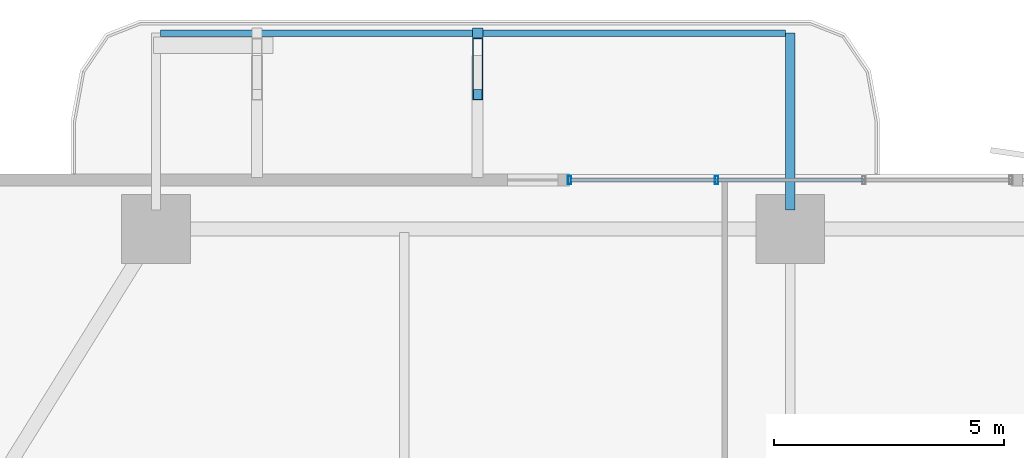
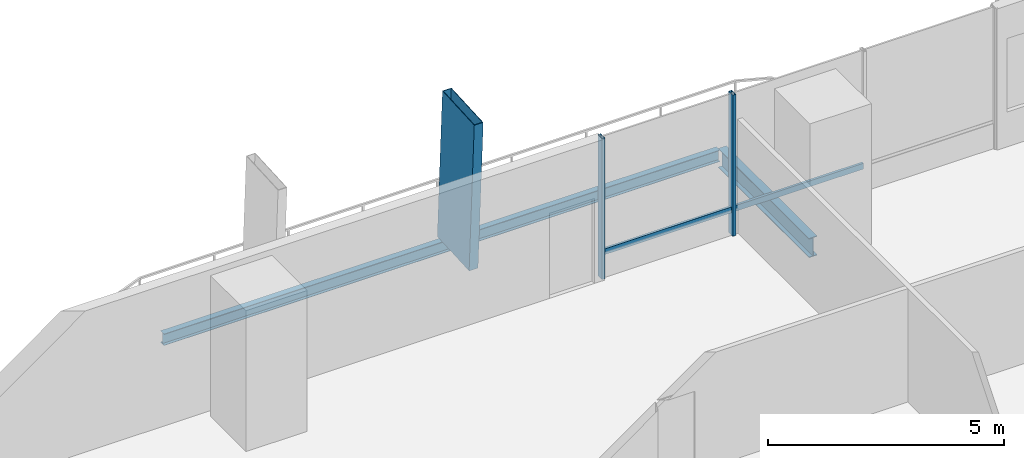
# One storey, part 11 of 24: 5 members, 2 beams, 1 element without a shape of its own.
"""IFC4 building model written with IfcOpenShell, lengths in metres."""

import ifcopenshell
import ifcopenshell.guid

model = None  # the IFC model being written
_history = None  # IfcOwnerHistory: only IFC2X3 demands one
_inside = {}  # id of a spatial element -> (the spatial element, [elements in it])
_under = {}  # id of a project, library or spatial element -> (it, [spatial elements below it])
_declared = {}  # id of a project -> (the project, [libraries it declares])
_typed = {}  # id of a type object -> (the type object, [elements of that type])
_made_of = {}  # id of a material, layer set ... -> (it, [elements and type objects made of it])


def new_model(schema):
    """Start an empty IFC model of exactly this schema.

    Asked for "IFC4X3", IfcOpenShell would pick the latest addendum, in which some entities
    have other attributes; the version numbers below select the first issue.
    IFC2X3 requires an IfcOwnerHistory on every rooted entity: one is made here for all.
    """
    global model, _history
    if schema == "IFC4X3":
        model = ifcopenshell.file(schema_version=(4, 3, 0, 0))
    else:
        model = ifcopenshell.file(schema=schema)
    _inside.clear()
    _under.clear()
    _declared.clear()
    _typed.clear()
    _made_of.clear()
    _history = None
    if model.schema == "IFC2X3":
        org = make("IfcOrganization", Name="unknown")
        user = make(
            "IfcPersonAndOrganization",
            ThePerson=make("IfcPerson", FamilyName="unknown"),
            TheOrganization=org,
        )
        app = make(
            "IfcApplication",
            ApplicationDeveloper=org,
            Version="unknown",
            ApplicationFullName="unknown",
            ApplicationIdentifier="unknown",
        )
        _history = make(
            "IfcOwnerHistory",
            OwningUser=user,
            OwningApplication=app,
            ChangeAction="ADDED",
            CreationDate=0,
        )
    return model


def make(cls, **values):
    """One entity of the class cls with the attributes given. An attribute that is None is left unset."""
    return model.create_entity(
        cls, **{name: value for name, value in values.items() if value is not None}
    )


def rooted(cls, **values):
    """An entity with a GlobalId (a new one), such as an element, a storey or a relation."""
    return make(cls, GlobalId=ifcopenshell.guid.new(), OwnerHistory=_history, **values)


def si_unit(unit_type, name, prefix=None):
    """IfcSIUnit, for example si_unit("LENGTHUNIT", "METRE", prefix="MILLI")."""
    return make("IfcSIUnit", UnitType=unit_type, Prefix=prefix, Name=name)


def assignment(units):
    """IfcUnitAssignment: the units of a project."""
    return None if units is None else make("IfcUnitAssignment", Units=units)


def point(xyz):
    """IfcCartesianPoint."""
    return None if xyz is None else make("IfcCartesianPoint", Coordinates=xyz)


def direction(xyz):
    """IfcDirection."""
    return None if xyz is None else make("IfcDirection", DirectionRatios=xyz)


def frame(location, z_axis=None, x_axis=None):
    """IfcAxis2Placement3D, a coordinate frame: its origin and axes. An axis left out is left unset."""
    return make(
        "IfcAxis2Placement3D",
        Location=point(location),
        Axis=direction(z_axis),
        RefDirection=direction(x_axis),
    )


def frame_2d(location, x_axis=None):
    """IfcAxis2Placement2D, a coordinate frame in the plane: its origin and x axis."""
    return make(
        "IfcAxis2Placement2D", Location=point(location), RefDirection=direction(x_axis)
    )


def origin():
    """The frame at (0, 0, 0) with its axes left unset."""
    return frame((0.0, 0.0, 0.0))


def origin_2d():
    """The frame at (0, 0) in the plane with its x axis left unset."""
    return frame_2d((0.0, 0.0))


def place(relative_to, where):
    """IfcLocalPlacement: puts the frame where relative to a parent placement (None: the world)."""
    return make(
        "IfcLocalPlacement", PlacementRelTo=relative_to, RelativePlacement=where
    )


def context(
    kind, dimensions, precision=None, world=None, true_north=None, identifier=None
):
    """IfcGeometricRepresentationContext, for example the 3D "Model" context."""
    return make(
        "IfcGeometricRepresentationContext",
        ContextIdentifier=identifier,
        ContextType=kind,
        CoordinateSpaceDimension=dimensions,
        Precision=precision,
        WorldCoordinateSystem=world,
        TrueNorth=true_north,
    )


def subcontext(parent, identifier, kind, view, scale=None):
    """IfcGeometricRepresentationSubContext, for example "Body" below "Model"."""
    return make(
        "IfcGeometricRepresentationSubContext",
        ContextIdentifier=identifier,
        ContextType=kind,
        ParentContext=parent,
        TargetScale=scale,
        TargetView=view,
    )


def project(units=None, contexts=None):
    """IfcProject with its units and contexts."""
    return rooted(
        "IfcProject",
        Name="project",
        RepresentationContexts=contexts,
        UnitsInContext=assignment(units),
    )


def spatial(cls, under=None, at=None, **own):
    """A site, building, storey or space (cls), placed at a placement, below another one or the project."""
    s = rooted(cls, ObjectPlacement=at, **own)
    if under is not None:
        _under.setdefault(under.id(), (under, []))[1].append(s)
    return s


def profile(cls, at=None, kind="AREA", **sizes):
    """A parametric profile (cls). Its sizes go by their IFC names, for example OverallWidth=200.0."""
    return make(cls, ProfileType=kind, Position=at, **sizes)


def hollow_rectangle(**sizes):
    """IfcRectangleHollowProfileDef."""
    return profile("IfcRectangleHollowProfileDef", **sizes)


def i_section(**sizes):
    """IfcIShapeProfileDef."""
    return profile("IfcIShapeProfileDef", **sizes)


def extrude(swept, where, along, depth):
    """IfcExtrudedAreaSolid: the profile swept, set in the frame where, extruded along a direction by depth."""
    return make(
        "IfcExtrudedAreaSolid",
        SweptArea=swept,
        Position=where,
        ExtrudedDirection=direction(along),
        Depth=depth,
    )


def shape(context_of_items, identifier, shape_type, items):
    """IfcShapeRepresentation: the items that make up one representation, for example the "Body"."""
    return make(
        "IfcShapeRepresentation",
        ContextOfItems=context_of_items,
        RepresentationIdentifier=identifier,
        RepresentationType=shape_type,
        Items=items,
    )


def material(Name=None, Category=None):
    """IfcMaterial."""
    return make("IfcMaterial", Name=Name, Category=Category)


def layer(
    of_material, thickness, ventilated=None, Name=None, Category=None, Priority=None
):
    """IfcMaterialLayer: one layer of a wall or slab, of a material (None: an air gap)."""
    return make(
        "IfcMaterialLayer",
        Material=of_material,
        LayerThickness=thickness,
        IsVentilated=ventilated,
        Name=Name,
        Category=Category,
        Priority=Priority,
    )


def layer_set(layers, Name=None):
    """IfcMaterialLayerSet."""
    return make("IfcMaterialLayerSet", MaterialLayers=layers, LayerSetName=Name)


def material_profile(
    of_material, cross_section, Name=None, Category=None, Priority=None
):
    """IfcMaterialProfile: a cross section and its material."""
    return make(
        "IfcMaterialProfile",
        Name=Name,
        Material=of_material,
        Profile=cross_section,
        Priority=Priority,
        Category=Category,
    )


def profile_set(profiles, Name=None, composite=None):
    """IfcMaterialProfileSet."""
    return make(
        "IfcMaterialProfileSet",
        Name=Name,
        MaterialProfiles=profiles,
        CompositeProfile=composite,
    )


def made_of(thing, what):
    """Note that an element or type object is made of a material, layer set ...; save() writes the relation."""
    if what is not None:
        _made_of.setdefault(what.id(), (what, []))[1].append(thing)
    return thing


def type_object(cls, material=None, **own):
    """A type object (cls), such as IfcWallType, which elements share."""
    return made_of(rooted(cls, **own), material)


def element(
    cls,
    number,
    at=None,
    inside=None,
    cuts=None,
    type_object=None,
    material=None,
    context=None,
    identifier="Body",
    shape_type=None,
    held_by="IfcProductDefinitionShape",
    body=None,
    shapes=None,
    **own,
):
    """One element of the class cls, such as IfcWall. Its Tag is "e" and its number.

    at: its placement. inside: the storey or other place that contains it. cuts: it is an
    opening in that element (IfcRelVoidsElement). A single representation is given by context,
    identifier, shape_type and body (its items); several are given by shapes. held_by: the class
    of the entity that holds the representations. save() writes the other relations.
    """
    e = rooted(cls, Tag="e%d" % number, ObjectPlacement=at, **own)
    if body is not None:
        shapes = [shape(context, identifier, shape_type, body)]
    if shapes is not None:
        e.Representation = make(held_by, Representations=shapes)
    if inside is not None:
        _inside.setdefault(inside.id(), (inside, []))[1].append(e)
    if cuts is not None:
        rooted(
            "IfcRelVoidsElement", RelatingBuildingElement=cuts, RelatedOpeningElement=e
        )
    if type_object is not None:
        _typed.setdefault(type_object.id(), (type_object, []))[1].append(e)
    return made_of(e, material)


def aggregate(whole, parts):
    """IfcRelAggregates: a whole, such as a stair, and the parts it consists of."""
    return rooted("IfcRelAggregates", RelatingObject=whole, RelatedObjects=parts)


def save(model, path):
    """Write the relations noted so far, then the file.

    IfcRelAggregates (storeys below a building ...), IfcRelContainedInSpatialStructure (elements
    in a storey), IfcRelDefinesByType, IfcRelAssociatesMaterial and IfcRelDeclares: one each for
    every whole, place, type object, material and project.
    """
    for whole, parts in _under.values():
        aggregate(whole, parts)
    for where, things in _inside.values():
        rooted(
            "IfcRelContainedInSpatialStructure",
            RelatedElements=things,
            RelatingStructure=where,
        )
    for kind, things in _typed.values():
        rooted("IfcRelDefinesByType", RelatedObjects=things, RelatingType=kind)
    for what, things in _made_of.values():
        rooted("IfcRelAssociatesMaterial", RelatedObjects=things, RelatingMaterial=what)
    for by, libraries in _declared.values():
        rooted("IfcRelDeclares", RelatingContext=by, RelatedDefinitions=libraries)
    model.write(path)


model = new_model("IFC4")

# Units and contexts
model_context = context("Model", 3, precision=1e-05, world=origin(), true_north=direction((0.0, 1.0)))
body_context = subcontext(model_context, "Body", "Model", "MODEL_VIEW")
ifc_project = project(units=[si_unit("LENGTHUNIT", "METRE"), si_unit("AREAUNIT", "SQUARE_METRE"), si_unit("VOLUMEUNIT", "CUBIC_METRE"), si_unit("PLANEANGLEUNIT", "RADIAN"), si_unit("MASSUNIT", "GRAM", prefix="KILO")], contexts=[model_context])

# Site, building, storey
site_placement = place(None, origin())
site = spatial("IfcSite", under=ifc_project, at=site_placement, CompositionType="ELEMENT")
building_placement = place(site_placement, origin())
building = spatial("IfcBuilding", under=site, at=building_placement, Name="Belovzor Exchange Tower", CompositionType="ELEMENT")
storey_placement = place(building_placement, frame((0.0, 0.0, 49.5)))
storey = spatial("IfcBuildingStorey", under=building, at=storey_placement, Name="L11", CompositionType="ELEMENT", Elevation=49.5)

# Member
ifc_material_1 = material(Name="Extruded Architectural Terracotta on Steel S355 Carrier", Category="masonry")
ifc_material_profile_1 = material_profile(ifc_material_1, hollow_rectangle(XDim=0.219970703125, YDim=1.35009765625, WallThickness=0.013916015625, at=origin_2d()))
ifc_profile_set_1 = profile_set([ifc_material_profile_1], Name="Extruded Architectural Terracotta on Steel S355 Carrier")
member_type_1 = type_object("IfcMemberType", Name="Base Arc Sweeping Terracotta Pylon Fin 1450", PredefinedType="USERDEFINED", material=ifc_profile_set_1)
member_1_placement = place(storey_placement, frame((22.0, 59.197998046875, -0.25), z_axis=(0.0, -0.056065425443, 0.998427097023), x_axis=(1.0, 0.0, 0.0)))
element("IfcMember", 1, at=member_1_placement, inside=storey, type_object=member_type_1, Name="FIN-TC145 Terracotta Facade Fin L11 N2", ObjectType="FIN", PredefinedType="USERDEFINED", context=body_context, shape_type="SweptSolid", body=[
    extrude(hollow_rectangle(XDim=0.219970703125, YDim=1.35009765625, WallThickness=0.013916015625, at=origin_2d()), origin(), (0.0, 0.0, 1.0), 3.906005859375),
])

# Beams
ifc_material_2 = material(Name="Steel S355", Category="steel")
ifc_material_profile_2 = material_profile(ifc_material_2, i_section(OverallWidth=0.199951171875, OverallDepth=0.5, WebThickness=0.01025390625, FlangeThickness=0.01611328125, at=origin_2d()))
ifc_profile_set_2 = profile_set([ifc_material_profile_2], Name="Steel S355")
beam_type_1 = type_object("IfcBeamType", Name="Planted Balcony Cantilever Beam IPE 500", PredefinedType="BEAM", material=ifc_profile_set_2)
beam_1_placement = place(storey_placement, frame((28.800048828125, 55.9130859375, -0.5), z_axis=(0.0, 1.0, 0.0), x_axis=(-1.0, 0.0, 0.0)))
element("IfcBeam", 2, at=beam_1_placement, inside=storey, type_object=beam_type_1, Name="BC-500 Planted Balcony Cantilever Beam IPE 500", PredefinedType="BEAM", context=body_context, shape_type="SweptSolid", body=[
    extrude(i_section(OverallWidth=0.199951171875, OverallDepth=0.5, WebThickness=0.01025390625, FlangeThickness=0.01611328125, at=origin_2d()), origin(), (0.0, 0.0, 1.0), 3.849853515625),
])
ifc_material_3 = material(Name="Steel S355", Category="steel")
ifc_material_profile_3 = material_profile(ifc_material_3, i_section(OverallWidth=0.14990234375, OverallDepth=0.300048828125, WebThickness=0.007080078125, FlangeThickness=0.0107421875, at=origin_2d()))
ifc_profile_set_3 = profile_set([ifc_material_profile_3], Name="Steel S355")
beam_type_2 = type_object("IfcBeamType", Name="Planted Balcony Fascia Edge Beam IPE 300", PredefinedType="BEAM", material=ifc_profile_set_3)
beam_2_placement = place(storey_placement, frame((28.699951171875, 59.762939453125, -0.39990234375), z_axis=(-1.0, 0.0, 0.0), x_axis=(0.0, -1.0, 0.0)))
element("IfcBeam", 3, at=beam_2_placement, inside=storey, type_object=beam_type_2, Name="BC-300 Planted Balcony Fascia Edge Beam IPE 300", PredefinedType="BEAM", context=body_context, shape_type="SweptSolid", body=[
    extrude(i_section(OverallWidth=0.14990234375, OverallDepth=0.300048828125, WebThickness=0.007080078125, FlangeThickness=0.0107421875, at=origin_2d()), origin(), (0.0, 0.0, 1.0), 13.599853515625),
])

# Curtain wall, members
ifc_material_4 = material(Name="Anodised Aluminium Framing", Category="aluminium")
ifc_layer = layer(ifc_material_4, 0.179931640625)
ifc_layer_set = layer_set([ifc_layer], Name="Anodised Aluminium Framing")
curtain_wall_type = type_object("IfcCurtainWallType", Name="Recessed Loggia Low-Iron Triple-Glazed Curtain Wall", PredefinedType="NOTDEFINED", material=ifc_layer_set)
curtain_wall_placement = place(storey_placement, origin())
curtain_wall = element("IfcCurtainWall", 4, at=curtain_wall_placement, inside=storey, type_object=curtain_wall_type, Name="CW3 Recessed Loggia Low-Iron Triple-Glazed Curtain Wall L11", PredefinedType="NOTDEFINED")
ifc_material_5 = material(Name="Steel S355", Category="steel")
ifc_material_profile_4 = material_profile(ifc_material_5, hollow_rectangle(XDim=0.074951171875, YDim=0.179931640625, WallThickness=0.0048828125, at=origin_2d()))
ifc_profile_set_4 = profile_set([ifc_material_profile_4], Name="Steel S355")
member_type_2 = type_object("IfcMemberType", Name="Thermally Broken Curtain Wall Mullion 180x75", PredefinedType="MULLION", material=ifc_profile_set_4)
member_2_placement = place(storey_placement, frame((24.0, 56.570068359375, 0.0), z_axis=(0.0, 0.0, 1.0), x_axis=(1.0, 0.0, 0.0)))
member_2 = element("IfcMember", 5, at=member_2_placement, type_object=member_type_2, Name="CW-M180 Curtain Wall Mullion 1", PredefinedType="MULLION", context=body_context, shape_type="SweptSolid", body=[
    extrude(hollow_rectangle(XDim=0.074951171875, YDim=0.179931640625, WallThickness=0.0048828125, at=origin_2d()), origin(), (0.0, 0.0, 1.0), 3.64990234375),
])
member_3_placement = place(storey_placement, frame((27.199951171875, 56.570068359375, 0.0), z_axis=(0.0, 0.0, 1.0), x_axis=(1.0, 0.0, 0.0)))
member_3 = element("IfcMember", 6, at=member_3_placement, type_object=member_type_2, Name="CW-M180 Curtain Wall Mullion 2", PredefinedType="MULLION", context=body_context, shape_type="SweptSolid", body=[
    extrude(hollow_rectangle(XDim=0.074951171875, YDim=0.179931640625, WallThickness=0.0048828125, at=origin_2d()), origin(), (0.0, 0.0, 1.0), 3.64990234375),
])
ifc_material_6 = material(Name="Steel S355", Category="steel")
ifc_material_profile_5 = material_profile(ifc_material_6, hollow_rectangle(XDim=0.06005859375, YDim=0.14990234375, WallThickness=0.00390625, at=origin_2d()))
ifc_profile_set_5 = profile_set([ifc_material_profile_5], Name="Steel S355")
member_type_3 = type_object("IfcMemberType", Name="Thermally Broken Curtain Wall Transom 150x60", PredefinedType="USERDEFINED", material=ifc_profile_set_5)
member_4_placement = place(storey_placement, frame((24.008056640625, 56.570068359375, 0.64990234375), z_axis=(1.0, 0.0, 0.0), x_axis=(0.0, 1.0, 0.0)))
member_4 = element("IfcMember", 7, at=member_4_placement, type_object=member_type_3, Name="CW-T150 Curtain Wall Transom 1", ObjectType="TRANSOM", PredefinedType="USERDEFINED", context=body_context, shape_type="SweptSolid", body=[
    extrude(hollow_rectangle(XDim=0.06005859375, YDim=0.14990234375, WallThickness=0.00390625, at=origin_2d()), origin(), (0.0, 0.0, 1.0), 3.183837890625),
])
member_5_placement = place(storey_placement, frame((27.2080078125, 56.570068359375, 0.64990234375), z_axis=(1.0, 0.0, 0.0), x_axis=(0.0, 1.0, 0.0)))
member_5 = element("IfcMember", 8, at=member_5_placement, type_object=member_type_3, Name="CW-T150 Curtain Wall Transom 2", ObjectType="TRANSOM", PredefinedType="USERDEFINED", context=body_context, shape_type="SweptSolid", body=[
    extrude(hollow_rectangle(XDim=0.06005859375, YDim=0.14990234375, WallThickness=0.00390625, at=origin_2d()), origin(), (0.0, 0.0, 1.0), 3.18408203125),
])
aggregate(curtain_wall, [member_2, member_3, member_4, member_5])

save(model, "model.ifc")
